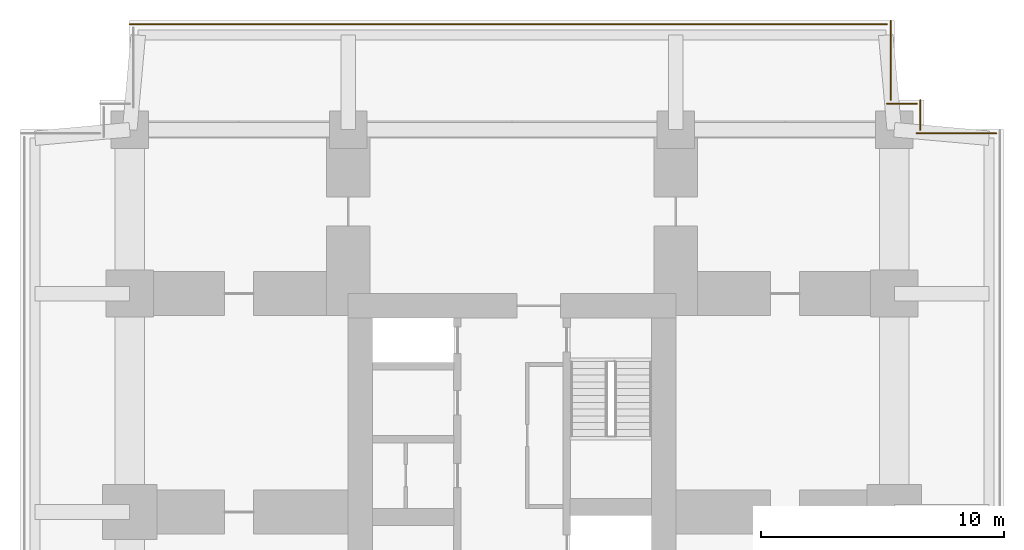
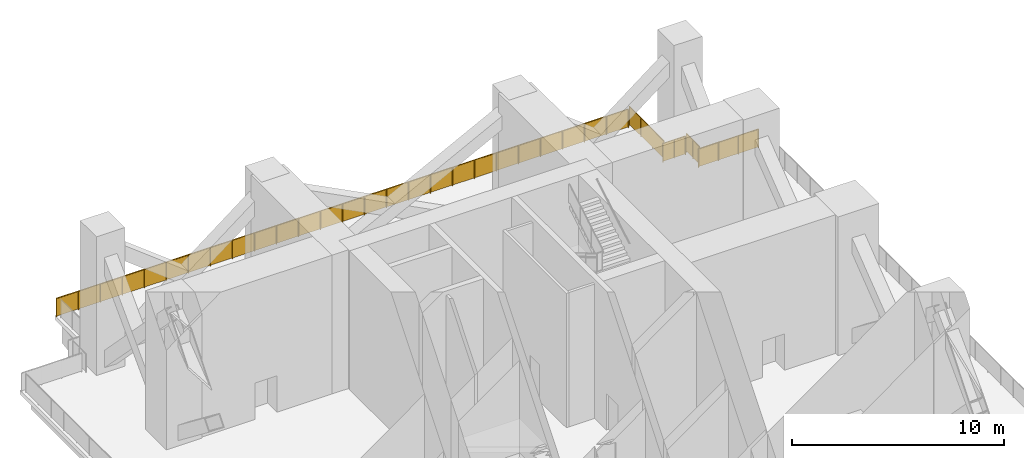
# One storey, part 6 of 6: 5 railings.
"""IFC4 building model written with IfcOpenShell, lengths in metres."""

from ifc_helpers import new_model, si_unit, direction, frame, origin, origin_2d, place, context, subcontext, project, spatial, polyline, circle, outline, extrude, material, type_object, element, save


model = new_model("IFC4")

# Units and contexts
model_context = context("Model", 3, precision=1e-05, world=origin(), true_north=direction((0.0, 1.0)))
body_context = subcontext(model_context, "Body", "Model", "MODEL_VIEW")
ifc_project = project(units=[si_unit("LENGTHUNIT", "METRE"), si_unit("AREAUNIT", "SQUARE_METRE"), si_unit("VOLUMEUNIT", "CUBIC_METRE"), si_unit("PLANEANGLEUNIT", "RADIAN"), si_unit("MASSUNIT", "GRAM", prefix="KILO")], contexts=[model_context])

# Site, building, storey
site_placement = place(None, origin())
site = spatial("IfcSite", under=ifc_project, at=site_placement, CompositionType="ELEMENT")
building_placement = place(site_placement, origin())
building = spatial("IfcBuilding", under=site, at=building_placement, Name="Namib Vertical Campus", CompositionType="ELEMENT")
storey_placement = place(building_placement, frame((0.0, 0.0, 245.0)))
storey = spatial("IfcBuildingStorey", under=building, at=storey_placement, Name="L58", CompositionType="ELEMENT", Elevation=245.0)

# Railings
ifc_material = material(Name="Toughened glass balustrade", Category="glass")
railing_type = type_object("IfcRailingType", Name="Edge guard 1100", PredefinedType="GUARDRAIL", material=ifc_material)
railing_1_placement = place(storey_placement, frame((40.199951171875, 35.85009765625, 0.0)))
element("IfcRailing", 1, at=railing_1_placement, inside=storey, type_object=railing_type, Name="Refuge edge guard GR2 A L58 7", PredefinedType="GUARDRAIL", context=body_context, shape_type="SweptSolid", body=[
    extrude(circle(Radius=0.02392578125, at=origin_2d()), frame((0.0, 0.0, 1.076171875), z_axis=(-1.0, 0.0, 0.0), x_axis=(0.0, -1.0, 0.0)), (0.0, 0.0, 1.0), 3.27490234375),
    extrude(outline(polyline([(0.02099609375, 0.050048828125), (3.25390625, 0.050048828125), (3.25390625, 1.052001953125), (0.02099609375, 1.052001953125), (0.02099609375, 0.050048828125)])), frame((0.0, -0.0107421875, 0.0), z_axis=(0.0, 1.0, 0.0), x_axis=(-1.0, 0.0, 0.0)), (0.0, 0.0, 1.0), 0.021484375),
    extrude(circle(Radius=0.02099609375, at=origin_2d()), origin(), (0.0, 0.0, 1.0), 1.052001953125),
    extrude(circle(Radius=0.02099609375, at=origin_2d()), frame((-1.091552734375, 0.0, 0.0)), (0.0, 0.0, 1.0), 1.052001953125),
    extrude(circle(Radius=0.02099609375, at=origin_2d()), frame((-2.183349609375, 0.0, 0.0)), (0.0, 0.0, 1.0), 1.052001953125),
    extrude(circle(Radius=0.02099609375, at=origin_2d()), frame((-3.27490234375, 0.0, 0.0)), (0.0, 0.0, 1.0), 1.052001953125),
])
railing_2_placement = place(storey_placement, frame((37.074951171875, 36.0, 0.0)))
element("IfcRailing", 2, at=railing_2_placement, inside=storey, type_object=railing_type, Name="Refuge edge guard GR2 A L58 8", PredefinedType="GUARDRAIL", context=body_context, shape_type="SweptSolid", body=[
    extrude(circle(Radius=0.02392578125, at=origin_2d()), frame((0.0, 0.0, 1.076171875), z_axis=(0.0, 1.0, 0.0), x_axis=(-1.0, 0.0, 0.0)), (0.0, 0.0, 1.0), 1.22509765625),
    extrude(outline(polyline([(0.02099609375, 0.050048828125), (1.2041015625, 0.050048828125), (1.2041015625, 1.052001953125), (0.02099609375, 1.052001953125), (0.02099609375, 0.050048828125)])), frame((-0.0107421875, 0.0, 0.0), z_axis=(1.0, 0.0, 0.0), x_axis=(0.0, 1.0, 0.0)), (0.0, 0.0, 1.0), 0.021484375),
    extrude(circle(Radius=0.02099609375, at=origin_2d()), origin(), (0.0, 0.0, 1.0), 1.052001953125),
    extrude(circle(Radius=0.02099609375, at=origin_2d()), frame((0.0, 0.612548828125, 0.0)), (0.0, 0.0, 1.0), 1.052001953125),
    extrude(circle(Radius=0.02099609375, at=origin_2d()), frame((0.0, 1.22509765625, 0.0)), (0.0, 0.0, 1.0), 1.052001953125),
])
railing_3_placement = place(storey_placement, frame((36.925048828125, 37.074951171875, 0.0)))
element("IfcRailing", 3, at=railing_3_placement, inside=storey, type_object=railing_type, Name="Refuge edge guard GR2 A L58 9", PredefinedType="GUARDRAIL", context=body_context, shape_type="SweptSolid", body=[
    extrude(circle(Radius=0.02392578125, at=origin_2d()), frame((0.0, 0.0, 1.076171875), z_axis=(-1.0, 0.0, 0.0), x_axis=(0.0, -1.0, 0.0)), (0.0, 0.0, 1.0), 1.22509765625),
    extrude(outline(polyline([(0.02099609375, 0.050048828125), (1.2041015625, 0.050048828125), (1.2041015625, 1.052001953125), (0.02099609375, 1.052001953125), (0.02099609375, 0.050048828125)])), frame((0.0, -0.0107421875, 0.0), z_axis=(0.0, 1.0, 0.0), x_axis=(-1.0, 0.0, 0.0)), (0.0, 0.0, 1.0), 0.021484375),
    extrude(circle(Radius=0.02099609375, at=origin_2d()), origin(), (0.0, 0.0, 1.0), 1.052001953125),
    extrude(circle(Radius=0.02099609375, at=origin_2d()), frame((-0.612548828125, 0.0, 0.0)), (0.0, 0.0, 1.0), 1.052001953125),
    extrude(circle(Radius=0.02099609375, at=origin_2d()), frame((-1.22509765625, 0.0, 0.0)), (0.0, 0.0, 1.0), 1.052001953125),
])
railing_4_placement = place(storey_placement, frame((35.85009765625, 37.22509765625, 0.0)))
element("IfcRailing", 4, at=railing_4_placement, inside=storey, type_object=railing_type, Name="Refuge edge guard GR2 A L58 10", PredefinedType="GUARDRAIL", context=body_context, shape_type="SweptSolid", body=[
    extrude(circle(Radius=0.02392578125, at=origin_2d()), frame((0.0, 0.0, 1.076171875), z_axis=(0.0, 1.0, 0.0), x_axis=(-1.0, 0.0, 0.0)), (0.0, 0.0, 1.0), 3.27490234375),
    extrude(outline(polyline([(0.02099609375, 0.050048828125), (3.25390625, 0.050048828125), (3.25390625, 1.052001953125), (0.02099609375, 1.052001953125), (0.02099609375, 0.050048828125)])), frame((-0.0107421875, 0.0, 0.0), z_axis=(1.0, 0.0, 0.0), x_axis=(0.0, 1.0, 0.0)), (0.0, 0.0, 1.0), 0.021484375),
    extrude(circle(Radius=0.02099609375, at=origin_2d()), origin(), (0.0, 0.0, 1.0), 1.052001953125),
    extrude(circle(Radius=0.02099609375, at=origin_2d()), frame((0.0, 1.091552734375, 0.0)), (0.0, 0.0, 1.0), 1.052001953125),
    extrude(circle(Radius=0.02099609375, at=origin_2d()), frame((0.0, 2.183349609375, 0.0)), (0.0, 0.0, 1.0), 1.052001953125),
    extrude(circle(Radius=0.02099609375, at=origin_2d()), frame((0.0, 3.27490234375, 0.0)), (0.0, 0.0, 1.0), 1.052001953125),
])
railing_5_placement = place(storey_placement, frame((35.699951171875, 40.35009765625, 0.0)))
element("IfcRailing", 5, at=railing_5_placement, inside=storey, type_object=railing_type, Name="Refuge edge guard GR2 A L58 11", PredefinedType="GUARDRAIL", context=body_context, shape_type="SweptSolid", body=[
    extrude(circle(Radius=0.02392578125, at=origin_2d()), frame((0.0, 0.0, 1.076171875), z_axis=(-1.0, 0.0, 0.0), x_axis=(0.0, -1.0, 0.0)), (0.0, 0.0, 1.0), 31.199951171875),
    extrude(outline(polyline([(0.02099609375, 0.050048828125), (31.178955078125, 0.050048828125), (31.178955078125, 1.052001953125), (0.02099609375, 1.052001953125), (0.02099609375, 0.050048828125)])), frame((0.0, -0.0107421875, 0.0), z_axis=(0.0, 1.0, 0.0), x_axis=(-1.0, 0.0, 0.0)), (0.0, 0.0, 1.0), 0.021484375),
    extrude(circle(Radius=0.02099609375, at=origin_2d()), origin(), (0.0, 0.0, 1.0), 1.052001953125),
    extrude(circle(Radius=0.02099609375, at=origin_2d()), frame((-1.199951171875, 0.0, 0.0)), (0.0, 0.0, 1.0), 1.052001953125),
    extrude(circle(Radius=0.02099609375, at=origin_2d()), frame((-2.39990234375, 0.0, 0.0)), (0.0, 0.0, 1.0), 1.052001953125),
    extrude(circle(Radius=0.02099609375, at=origin_2d()), frame((-3.60009765625, 0.0, 0.0)), (0.0, 0.0, 1.0), 1.052001953125),
    extrude(circle(Radius=0.02099609375, at=origin_2d()), frame((-4.800048828125, 0.0, 0.0)), (0.0, 0.0, 1.0), 1.052001953125),
    extrude(circle(Radius=0.02099609375, at=origin_2d()), frame((-6.0, 0.0, 0.0)), (0.0, 0.0, 1.0), 1.052001953125),
    extrude(circle(Radius=0.02099609375, at=origin_2d()), frame((-7.199951171875, 0.0, 0.0)), (0.0, 0.0, 1.0), 1.052001953125),
    extrude(circle(Radius=0.02099609375, at=origin_2d()), frame((-8.39990234375, 0.0, 0.0)), (0.0, 0.0, 1.0), 1.052001953125),
    extrude(circle(Radius=0.02099609375, at=origin_2d()), frame((-9.60009765625, 0.0, 0.0)), (0.0, 0.0, 1.0), 1.052001953125),
    extrude(circle(Radius=0.02099609375, at=origin_2d()), frame((-10.800048828125, 0.0, 0.0)), (0.0, 0.0, 1.0), 1.052001953125),
    extrude(circle(Radius=0.02099609375, at=origin_2d()), frame((-12.0, 0.0, 0.0)), (0.0, 0.0, 1.0), 1.052001953125),
    extrude(circle(Radius=0.02099609375, at=origin_2d()), frame((-13.199951171875, 0.0, 0.0)), (0.0, 0.0, 1.0), 1.052001953125),
    extrude(circle(Radius=0.02099609375, at=origin_2d()), frame((-14.39990234375, 0.0, 0.0)), (0.0, 0.0, 1.0), 1.052001953125),
    extrude(circle(Radius=0.02099609375, at=origin_2d()), frame((-15.60009765625, 0.0, 0.0)), (0.0, 0.0, 1.0), 1.052001953125),
    extrude(circle(Radius=0.02099609375, at=origin_2d()), frame((-16.800048828125, 0.0, 0.0)), (0.0, 0.0, 1.0), 1.052001953125),
    extrude(circle(Radius=0.02099609375, at=origin_2d()), frame((-18.0, 0.0, 0.0)), (0.0, 0.0, 1.0), 1.052001953125),
    extrude(circle(Radius=0.02099609375, at=origin_2d()), frame((-19.199951171875, 0.0, 0.0)), (0.0, 0.0, 1.0), 1.052001953125),
    extrude(circle(Radius=0.02099609375, at=origin_2d()), frame((-20.39990234375, 0.0, 0.0)), (0.0, 0.0, 1.0), 1.052001953125),
    extrude(circle(Radius=0.02099609375, at=origin_2d()), frame((-21.599853515625, 0.0, 0.0)), (0.0, 0.0, 1.0), 1.052001953125),
    extrude(circle(Radius=0.02099609375, at=origin_2d()), frame((-22.800048828125, 0.0, 0.0)), (0.0, 0.0, 1.0), 1.052001953125),
    extrude(circle(Radius=0.02099609375, at=origin_2d()), frame((-24.0, 0.0, 0.0)), (0.0, 0.0, 1.0), 1.052001953125),
    extrude(circle(Radius=0.02099609375, at=origin_2d()), frame((-25.199951171875, 0.0, 0.0)), (0.0, 0.0, 1.0), 1.052001953125),
    extrude(circle(Radius=0.02099609375, at=origin_2d()), frame((-26.39990234375, 0.0, 0.0)), (0.0, 0.0, 1.0), 1.052001953125),
    extrude(circle(Radius=0.02099609375, at=origin_2d()), frame((-27.599853515625, 0.0, 0.0)), (0.0, 0.0, 1.0), 1.052001953125),
    extrude(circle(Radius=0.02099609375, at=origin_2d()), frame((-28.800048828125, 0.0, 0.0)), (0.0, 0.0, 1.0), 1.052001953125),
    extrude(circle(Radius=0.02099609375, at=origin_2d()), frame((-30.0, 0.0, 0.0)), (0.0, 0.0, 1.0), 1.052001953125),
    extrude(circle(Radius=0.02099609375, at=origin_2d()), frame((-31.199951171875, 0.0, 0.0)), (0.0, 0.0, 1.0), 1.052001953125),
])

save(model, "model.ifc")
